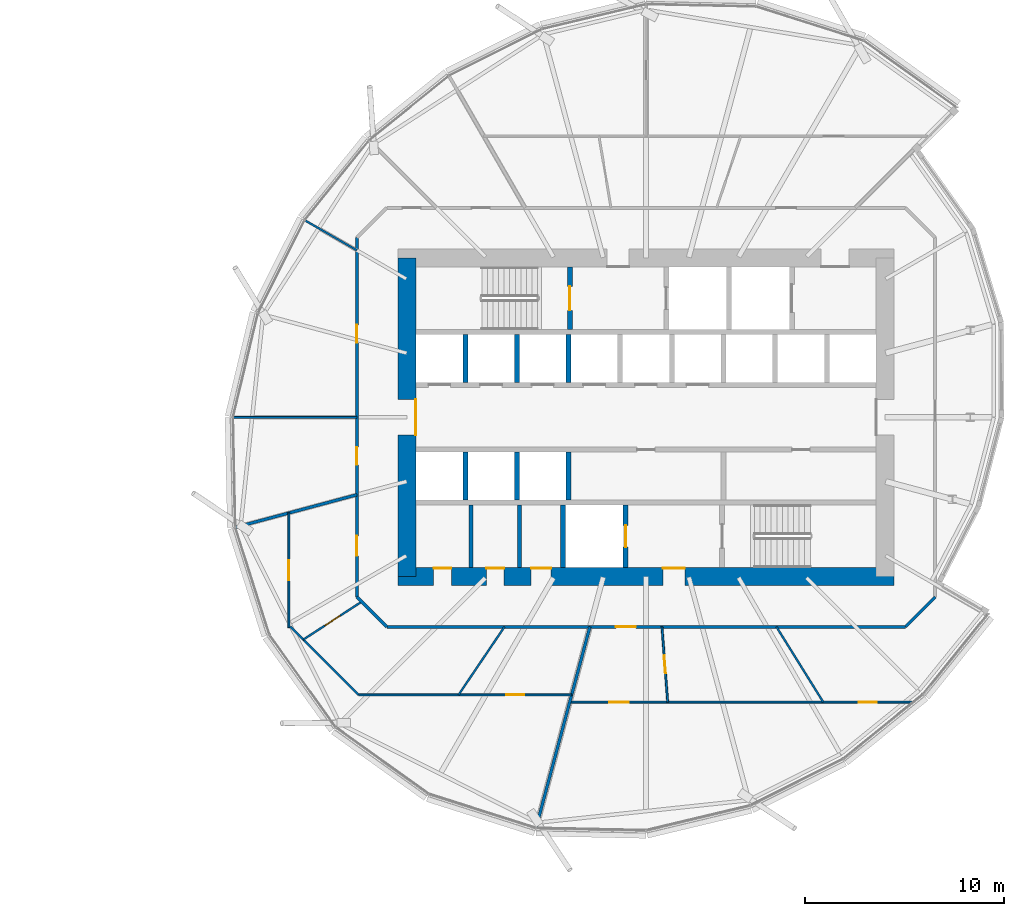
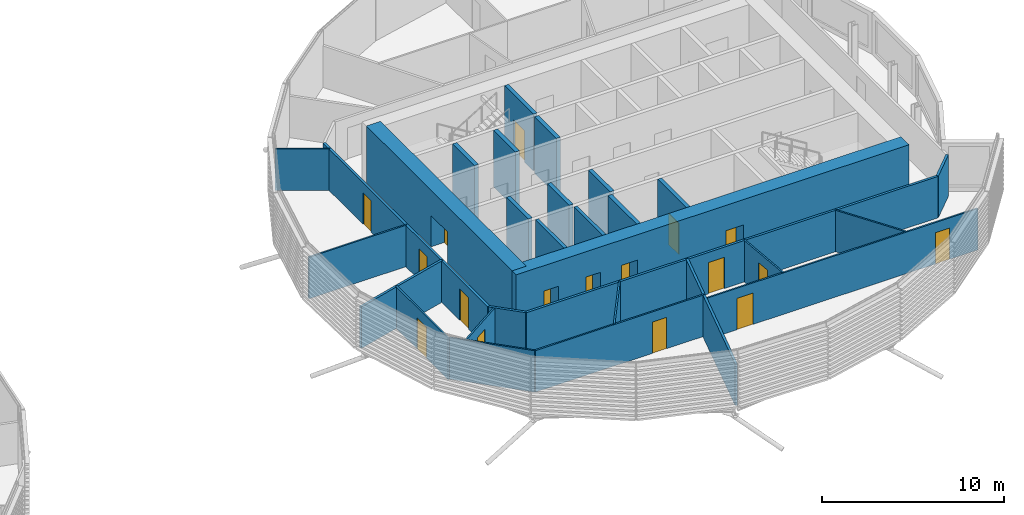
# One storey, part 22 of 36: 29 walls, 17 doors, 17 openings.
"""IFC4 building model written with IfcOpenShell, lengths in metres."""

from ifc_helpers import new_model, si_unit, direction, frame, frame_2d, origin, place, context, subcontext, project, spatial, rectangle, extrude, material, layer, layer_set, type_object, element, fill, save


model = new_model("IFC4")

# Units and contexts
model_context = context("Model", 3, precision=1e-05, world=origin(), true_north=direction((0.0, 1.0)))
body_context = subcontext(model_context, "Body", "Model", "MODEL_VIEW")
ifc_project = project(units=[si_unit("LENGTHUNIT", "METRE"), si_unit("AREAUNIT", "SQUARE_METRE"), si_unit("VOLUMEUNIT", "CUBIC_METRE"), si_unit("PLANEANGLEUNIT", "RADIAN"), si_unit("MASSUNIT", "GRAM", prefix="KILO")], contexts=[model_context])

# Site, building, storey
site_placement = place(None, origin())
site = spatial("IfcSite", under=ifc_project, at=site_placement, CompositionType="ELEMENT")
building_placement = place(site_placement, origin())
building = spatial("IfcBuilding", under=site, at=building_placement, Name="Rimbun Link Towers", CompositionType="ELEMENT")
storey_placement = place(building_placement, frame((0.0, 0.0, 37.60009765625)))
storey = spatial("IfcBuildingStorey", under=building, at=storey_placement, Name="L08", CompositionType="ELEMENT", Elevation=37.60009765625)

# Walls
ifc_material_1 = material(Name="Masonry blockwork", Category="masonry")
ifc_layer_1 = layer(ifc_material_1, 0.199951171875)
ifc_layer_set_1 = layer_set([ifc_layer_1], Name="Core partition 200")
wall_type_1 = type_object("IfcWallType", Name="Core partition 200", PredefinedType="PARTITIONING", material=ifc_layer_set_1)
for number, where, z_axis, x_axis, name in (
    (1, (22.949951171875, -4.39990234375, 0.0), (0.0, 0.0, 1.0), (0.0, -1.0, 0.0), "L08 T2 core wall C1"),
    (2, (25.39990234375, -4.39990234375, 0.0), (0.0, 0.0, 1.0), (0.0, -1.0, 0.0), "L08 T2 core wall C2"),
):
    element("IfcWall", number, at=place(storey_placement, frame(where, z_axis=z_axis, x_axis=x_axis)), inside=storey, type_object=wall_type_1, Name=name, PredefinedType="PARTITIONING", context=body_context, shape_type="SweptSolid", body=[
        extrude(rectangle(XDim=3.150146484375, YDim=0.199951171875, at=frame_2d((1.5751953125, 0.0))), origin(), (0.0, 0.0, 1.0), 3.7998046875),
    ])

# Wall, openings, doors
ifc_material_2 = material(Name="Concrete C60/75", Category="concrete")
ifc_layer_2 = layer(ifc_material_2, 0.89990234375)
ifc_layer_set_2 = layer_set([ifc_layer_2], Name="Core shear wall 900")
wall_type_2 = type_object("IfcWallType", Name="Core shear wall 900", PredefinedType="SHEAR", material=ifc_layer_set_2)
wall_1_placement = place(storey_placement, frame((19.300048828125, -8.0, 0.0), z_axis=(0.0, 0.0, 1.0), x_axis=(1.0, 0.0, 0.0)))
wall_1 = element("IfcWall", 3, at=wall_1_placement, inside=storey, type_object=wall_type_2, Name="L08 T2 core wall S", PredefinedType="SHEAR", context=body_context, shape_type="SweptSolid", body=[
    extrude(rectangle(XDim=24.89990234375, YDim=0.89990234375, at=frame_2d((12.449951171875, 0.0))), origin(), (0.0, 0.0, 1.0), 3.7998046875),
])
opening_1_placement = place(wall_1_placement, frame((13.300048828125, 0.0, 0.0)))
opening_1 = element("IfcOpeningElement", 4, at=opening_1_placement, cuts=wall_1, Name="Opening C2DCF01S", PredefinedType="OPENING", context=body_context, shape_type="SweptSolid", body=[
    extrude(rectangle(XDim=1.10009765625, YDim=2.10009765625, at=frame_2d((0.550048828125, 1.050048828125))), frame((0.0, 0.4599609375, 0.0), z_axis=(0.0, -1.0, 0.0), x_axis=(1.0, 0.0, 0.0)), (0.0, 0.0, 1.0), 0.919921875),
])
opening_2_placement = place(wall_1_placement, frame((1.77490234375, 0.0, 0.0)))
opening_2 = element("IfcOpeningElement", 5, at=opening_2_placement, cuts=wall_1, Name="Opening C2DWC02S", PredefinedType="OPENING", context=body_context, shape_type="SweptSolid", body=[
    extrude(rectangle(XDim=0.89990234375, YDim=2.10009765625, at=frame_2d((0.449951171875, 1.050048828125))), frame((0.0, 0.4599609375, 0.0), z_axis=(0.0, -1.0, 0.0), x_axis=(1.0, 0.0, 0.0)), (0.0, 0.0, 1.0), 0.919921875),
])
opening_3_placement = place(wall_1_placement, frame((4.425048828125, 0.0, 0.0)))
opening_3 = element("IfcOpeningElement", 6, at=opening_3_placement, cuts=wall_1, Name="Opening C2DWC03S", PredefinedType="OPENING", context=body_context, shape_type="SweptSolid", body=[
    extrude(rectangle(XDim=0.89990234375, YDim=2.10009765625, at=frame_2d((0.449951171875, 1.050048828125))), frame((0.0, 0.4599609375, 0.0), z_axis=(0.0, -1.0, 0.0), x_axis=(1.0, 0.0, 0.0)), (0.0, 0.0, 1.0), 0.919921875),
])
opening_4_placement = place(wall_1_placement, frame((6.675048828125, 0.0, 0.0)))
opening_4 = element("IfcOpeningElement", 7, at=opening_4_placement, cuts=wall_1, Name="Opening C2DAW04S", PredefinedType="OPENING", context=body_context, shape_type="SweptSolid", body=[
    extrude(rectangle(XDim=1.0, YDim=2.10009765625, at=frame_2d((0.5, 1.050048828125))), frame((0.0, 0.4599609375, 0.0), z_axis=(0.0, -1.0, 0.0), x_axis=(1.0, 0.0, 0.0)), (0.0, 0.0, 1.0), 0.919921875),
])
ifc_material_3 = material(Name="Timber", Category="wood")
door_type_1 = type_object("IfcDoorType", Name="Accessible WC door", OperationType="SINGLE_SWING_LEFT", PredefinedType="DOOR", material=ifc_material_3)
door_1_placement = place(opening_4_placement, origin())
door_1 = element("IfcDoor", 8, at=door_1_placement, inside=storey, type_object=door_type_1, Name="L08 T2 accessible wc door", OperationType="SINGLE_SWING_RIGHT", OverallHeight=2.10009765625, OverallWidth=1.0, PredefinedType="DOOR", context=body_context, shape_type="SweptSolid", body=[
    extrude(rectangle(XDim=1.0, YDim=2.10009765625, at=frame_2d((0.5, 1.050048828125))), frame((0.0, 0.4501953125, 0.0), z_axis=(0.0, -1.0, 0.0), x_axis=(1.0, 0.0, 0.0)), (0.0, 0.0, 1.0), 0.050048828125),
])
fill(opening_4, door_1)
ifc_material_4 = material(Name="Steel fire door set", Category="steel")
door_type_2 = type_object("IfcDoorType", Name="Core fire door single", OperationType="SINGLE_SWING_LEFT", PredefinedType="DOOR", material=ifc_material_4)
door_2_placement = place(opening_1_placement, origin())
door_2 = element("IfcDoor", 9, at=door_2_placement, inside=storey, type_object=door_type_2, Name="L08 T2 firefighting lobby s door", OperationType="SINGLE_SWING_LEFT", OverallHeight=2.10009765625, OverallWidth=1.10009765625, PredefinedType="DOOR", context=body_context, shape_type="SweptSolid", body=[
    extrude(rectangle(XDim=1.10009765625, YDim=2.10009765625, at=frame_2d((0.550048828125, 1.050048828125))), frame((0.0, 0.4501953125, 0.0), z_axis=(0.0, -1.0, 0.0), x_axis=(1.0, 0.0, 0.0)), (0.0, 0.0, 1.0), 0.050048828125),
])
fill(opening_1, door_2)
ifc_material_5 = material(Name="Timber", Category="wood")
door_type_3 = type_object("IfcDoorType", Name="WC door", OperationType="SINGLE_SWING_LEFT", PredefinedType="DOOR", material=ifc_material_5)
door_3_placement = place(opening_2_placement, origin())
door_3 = element("IfcDoor", 10, at=door_3_placement, inside=storey, type_object=door_type_3, Name="L08 T2 male wc door", OperationType="SINGLE_SWING_RIGHT", OverallHeight=2.10009765625, OverallWidth=0.89990234375, PredefinedType="DOOR", context=body_context, shape_type="SweptSolid", body=[
    extrude(rectangle(XDim=0.89990234375, YDim=2.10009765625, at=frame_2d((0.449951171875, 1.050048828125))), frame((0.0, 0.4501953125, 0.0), z_axis=(0.0, -1.0, 0.0), x_axis=(1.0, 0.0, 0.0)), (0.0, 0.0, 1.0), 0.050048828125),
])
fill(opening_2, door_3)
door_4_placement = place(opening_3_placement, origin())
door_4 = element("IfcDoor", 11, at=door_4_placement, inside=storey, type_object=door_type_3, Name="L08 T2 female wc door", OperationType="SINGLE_SWING_RIGHT", OverallHeight=2.10009765625, OverallWidth=0.89990234375, PredefinedType="DOOR", context=body_context, shape_type="SweptSolid", body=[
    extrude(rectangle(XDim=0.89990234375, YDim=2.10009765625, at=frame_2d((0.449951171875, 1.050048828125))), frame((0.0, 0.4501953125, 0.0), z_axis=(0.0, -1.0, 0.0), x_axis=(1.0, 0.0, 0.0)), (0.0, 0.0, 1.0), 0.050048828125),
])
fill(opening_3, door_4)

# Wall, opening, door
wall_2_placement = place(storey_placement, frame((19.75, -8.0, 0.0), z_axis=(0.0, 0.0, 1.0), x_axis=(0.0, 1.0, 0.0)))
wall_2 = element("IfcWall", 12, at=wall_2_placement, inside=storey, type_object=wall_type_2, Name="L08 T2 core wall W", PredefinedType="SHEAR", context=body_context, shape_type="SweptSolid", body=[
    extrude(rectangle(XDim=16.0, YDim=0.89990234375, at=frame_2d((8.0, 0.0))), origin(), (0.0, 0.0, 1.0), 3.7998046875),
])
opening_5_placement = place(wall_2_placement, frame((7.10009765625, 0.0, 0.0)))
opening_5 = element("IfcOpeningElement", 13, at=opening_5_placement, cuts=wall_2, Name="Opening C2DCL01W", PredefinedType="OPENING", context=body_context, shape_type="SweptSolid", body=[
    extrude(rectangle(XDim=1.800048828125, YDim=2.10009765625, at=frame_2d((0.89990234375, 1.050048828125))), frame((0.0, 0.4599609375, 0.0), z_axis=(0.0, -1.0, 0.0), x_axis=(1.0, 0.0, 0.0)), (0.0, 0.0, 1.0), 0.919921875),
])
ifc_material_6 = material(Name="Steel fire door set", Category="steel")
door_type_4 = type_object("IfcDoorType", Name="Core lobby door double", OperationType="DOUBLE_DOOR_SINGLE_SWING", PredefinedType="DOOR", material=ifc_material_6)
door_5_placement = place(opening_5_placement, origin())
door_5 = element("IfcDoor", 14, at=door_5_placement, inside=storey, type_object=door_type_4, Name="L08 T2 lift lobby door", OperationType="DOUBLE_DOOR_SINGLE_SWING", OverallHeight=2.10009765625, OverallWidth=1.800048828125, PredefinedType="DOOR", context=body_context, shape_type="SweptSolid", body=[
    extrude(rectangle(XDim=1.800048828125, YDim=2.10009765625, at=frame_2d((0.89990234375, 1.050048828125))), frame((0.0, -0.39990234375, 0.0), z_axis=(0.0, -1.0, 0.0), x_axis=(1.0, 0.0, 0.0)), (0.0, 0.0, 1.0), 0.050048828125),
])
fill(opening_5, door_5)

# Wall
ifc_material_7 = material(Name="Plasterboard on steel stud, mineral wool", Category="steel")
ifc_layer_3 = layer(ifc_material_7, 0.14990234375)
ifc_layer_set_3 = layer_set([ifc_layer_3], Name="Corridor wall EI 30 150 mm")
wall_type_3 = type_object("IfcWallType", Name="Corridor wall EI 30 150 mm", PredefinedType="PARTITIONING", material=ifc_layer_set_3)
wall_3_placement = place(storey_placement, frame((44.776611328125, -10.52490234375, 0.0), z_axis=(0.0, 0.0, 1.0), x_axis=(0.707106781187, 0.707106781187, 0.0)))
element("IfcWall", 15, at=wall_3_placement, inside=storey, type_object=wall_type_3, Name="Corridor wall EI 30 150 mm", PredefinedType="PARTITIONING", context=body_context, shape_type="SweptSolid", body=[
    extrude(rectangle(XDim=2.118896484375, YDim=0.14990234375, at=frame_2d((1.0595703125, 0.0))), origin(), (0.0, 0.0, 1.0), 2.77880859375),
])

# Wall, opening, door
wall_4_placement = place(storey_placement, frame((44.776611328125, -10.52490234375, 0.0), z_axis=(0.0, 0.0, 1.0), x_axis=(-1.0, 0.0, 0.0)))
wall_4 = element("IfcWall", 16, at=wall_4_placement, inside=storey, type_object=wall_type_3, Name="Corridor wall EI 30 150 mm", PredefinedType="PARTITIONING", context=body_context, shape_type="SweptSolid", body=[
    extrude(rectangle(XDim=26.05322265625, YDim=0.14990234375, at=frame_2d((13.026611328125, 0.0))), origin(), (0.0, 0.0, 1.0), 2.77880859375),
])
opening_6_placement = place(wall_4_placement, frame((13.53662109375, 0.0, 0.0)))
opening_6 = element("IfcOpeningElement", 17, at=opening_6_placement, cuts=wall_4, Name="Opening D01", PredefinedType="OPENING", context=body_context, shape_type="SweptSolid", body=[
    extrude(rectangle(XDim=1.0, YDim=2.10009765625, at=frame_2d((0.5, 1.050048828125))), frame((0.0, 0.0849609375, 0.0), z_axis=(0.0, -1.0, 0.0), x_axis=(1.0, 0.0, 0.0)), (0.0, 0.0, 1.0), 0.169921875),
])
ifc_material_8 = material(Name="Fire-resisting timber door leaf", Category="wood")
door_type_5 = type_object("IfcDoorType", Name="Fire door FD30S 1000", OperationType="NOTDEFINED", PredefinedType="DOOR", material=ifc_material_8)
door_6_placement = place(opening_6_placement, origin())
door_6 = element("IfcDoor", 18, at=door_6_placement, inside=storey, type_object=door_type_5, Name="Fire door FD30S 1000 to Customer lobby", OperationType="SINGLE_SWING_LEFT", OverallHeight=2.10009765625, OverallWidth=1.0, PredefinedType="DOOR", context=body_context, shape_type="SweptSolid", body=[
    extrude(rectangle(XDim=1.0, YDim=2.10009765625, at=frame_2d((0.5, 1.050048828125))), frame((0.0, 0.02490234375, 0.0), z_axis=(0.0, -1.0, 0.0), x_axis=(1.0, 0.0, 0.0)), (0.0, 0.0, 1.0), 0.050048828125),
])
fill(opening_6, door_6)

# Wall
wall_5_placement = place(storey_placement, frame((17.22509765625, -9.026611328125, 0.0), z_axis=(0.0, 0.0, 1.0), x_axis=(0.707106781187, -0.707106781187, 0.0)))
element("IfcWall", 19, at=wall_5_placement, inside=storey, type_object=wall_type_3, Name="Corridor wall EI 30 150 mm", PredefinedType="PARTITIONING", context=body_context, shape_type="SweptSolid", body=[
    extrude(rectangle(XDim=2.118896484375, YDim=0.14990234375, at=frame_2d((1.0595703125, 0.0))), origin(), (0.0, 0.0, 1.0), 2.77880859375),
])

# Wall, openings, doors
wall_6_placement = place(storey_placement, frame((17.22509765625, -9.026611328125, 0.0), z_axis=(0.0, 0.0, 1.0), x_axis=(0.0, 1.0, 0.0)))
wall_6 = element("IfcWall", 20, at=wall_6_placement, inside=storey, type_object=wall_type_3, Name="Corridor wall EI 30 150 mm", PredefinedType="PARTITIONING", context=body_context, shape_type="SweptSolid", body=[
    extrude(rectangle(XDim=18.05322265625, YDim=0.14990234375, at=frame_2d((9.026611328125, 0.0))), origin(), (0.0, 0.0, 1.0), 2.77880859375),
])
opening_7_placement = place(wall_6_placement, frame((12.769775390625, 0.0, 0.0)))
opening_7 = element("IfcOpeningElement", 21, at=opening_7_placement, cuts=wall_6, Name="Opening D02", PredefinedType="OPENING", context=body_context, shape_type="SweptSolid", body=[
    extrude(rectangle(XDim=0.89990234375, YDim=2.10009765625, at=frame_2d((0.449951171875, 1.050048828125))), frame((0.0, 0.0849609375, 0.0), z_axis=(0.0, -1.0, 0.0), x_axis=(1.0, 0.0, 0.0)), (0.0, 0.0, 1.0), 0.169921875),
])
opening_8_placement = place(wall_6_placement, frame((6.630615234375, 0.0, 0.0)))
opening_8 = element("IfcOpeningElement", 22, at=opening_8_placement, cuts=wall_6, Name="Opening D02", PredefinedType="OPENING", context=body_context, shape_type="SweptSolid", body=[
    extrude(rectangle(XDim=0.89990234375, YDim=2.10009765625, at=frame_2d((0.449951171875, 1.050048828125))), frame((0.0, 0.0849609375, 0.0), z_axis=(0.0, -1.0, 0.0), x_axis=(1.0, 0.0, 0.0)), (0.0, 0.0, 1.0), 0.169921875),
])
opening_9_placement = place(wall_6_placement, frame((2.0673828125, 0.0, 0.0)))
opening_9 = element("IfcOpeningElement", 23, at=opening_9_placement, cuts=wall_6, Name="Opening D01", PredefinedType="OPENING", context=body_context, shape_type="SweptSolid", body=[
    extrude(rectangle(XDim=1.0, YDim=2.10009765625, at=frame_2d((0.5, 1.050048828125))), frame((0.0, 0.0849609375, 0.0), z_axis=(0.0, -1.0, 0.0), x_axis=(1.0, 0.0, 0.0)), (0.0, 0.0, 1.0), 0.169921875),
])
door_7_placement = place(opening_9_placement, origin())
door_7 = element("IfcDoor", 24, at=door_7_placement, inside=storey, type_object=door_type_5, Name="Fire door FD30S 1000 to Reception", OperationType="SINGLE_SWING_RIGHT", OverallHeight=2.10009765625, OverallWidth=1.0, PredefinedType="DOOR", context=body_context, shape_type="SweptSolid", body=[
    extrude(rectangle(XDim=1.0, YDim=2.10009765625, at=frame_2d((0.5, 1.050048828125))), frame((0.0, 0.02490234375, 0.0), z_axis=(0.0, -1.0, 0.0), x_axis=(1.0, 0.0, 0.0)), (0.0, 0.0, 1.0), 0.050048828125),
])
fill(opening_9, door_7)
ifc_material_9 = material(Name="Fire-resisting timber door leaf", Category="wood")
door_type_6 = type_object("IfcDoorType", Name="Fire door FD30S 900", OperationType="NOTDEFINED", PredefinedType="DOOR", material=ifc_material_9)
door_8_placement = place(opening_7_placement, origin())
door_8 = element("IfcDoor", 25, at=door_8_placement, inside=storey, type_object=door_type_6, Name="Fire door FD30S 900 to Cellular office", OperationType="SINGLE_SWING_RIGHT", OverallHeight=2.10009765625, OverallWidth=0.89990234375, PredefinedType="DOOR", context=body_context, shape_type="SweptSolid", body=[
    extrude(rectangle(XDim=0.89990234375, YDim=2.10009765625, at=frame_2d((0.449951171875, 1.050048828125))), frame((0.0, 0.02490234375, 0.0), z_axis=(0.0, -1.0, 0.0), x_axis=(1.0, 0.0, 0.0)), (0.0, 0.0, 1.0), 0.050048828125),
])
fill(opening_7, door_8)
door_9_placement = place(opening_8_placement, origin())
door_9 = element("IfcDoor", 26, at=door_9_placement, inside=storey, type_object=door_type_6, Name="Fire door FD30S 900 to Meeting room", OperationType="SINGLE_SWING_LEFT", OverallHeight=2.10009765625, OverallWidth=0.89990234375, PredefinedType="DOOR", context=body_context, shape_type="SweptSolid", body=[
    extrude(rectangle(XDim=0.89990234375, YDim=2.10009765625, at=frame_2d((0.449951171875, 1.050048828125))), frame((0.0, 0.02490234375, 0.0), z_axis=(0.0, -1.0, 0.0), x_axis=(1.0, 0.0, 0.0)), (0.0, 0.0, 1.0), 0.050048828125),
])
fill(opening_8, door_9)

# Walls
ifc_material_10 = material(Name="Plasterboard on steel stud", Category="steel")
ifc_layer_4 = layer(ifc_material_10, 0.10009765625)
ifc_layer_set_4 = layer_set([ifc_layer_4], Name="Plasterboard partition 100 mm")
wall_type_4 = type_object("IfcWallType", Name="Plasterboard partition 100 mm", PredefinedType="PARTITIONING", material=ifc_layer_set_4)
wall_7_placement = place(storey_placement, frame((14.6123046875, 9.89453125, 0.0), z_axis=(0.0, 0.0, 1.0), x_axis=(0.866018486155, -0.500011981494, 0.0)))
element("IfcWall", 27, at=wall_7_placement, inside=storey, type_object=wall_type_4, Name="Plasterboard partition 100 mm", PredefinedType="PARTITIONING", context=body_context, shape_type="SweptSolid", body=[
    extrude(rectangle(XDim=3.01708984375, YDim=0.10009765625, at=frame_2d((1.508544921875, 0.0))), origin(), (0.0, 0.0, 1.0), 2.77880859375),
])
wall_8_placement = place(storey_placement, frame((11.0166015625, 0.0, 0.0), z_axis=(0.0, 0.0, 1.0), x_axis=(1.0, 0.0, 0.0)))
element("IfcWall", 28, at=wall_8_placement, inside=storey, type_object=wall_type_4, Name="Plasterboard partition 100 mm", PredefinedType="PARTITIONING", context=body_context, shape_type="SweptSolid", body=[
    extrude(rectangle(XDim=6.20849609375, YDim=0.10009765625, at=frame_2d((3.104248046875, 0.0))), origin(), (0.0, 0.0, 1.0), 2.77880859375),
])

# Wall, opening, door
wall_9_placement = place(storey_placement, frame((17.464111328125, -9.265869140625, 0.0), z_axis=(0.0, 0.0, 1.0), x_axis=(-0.83896645624, -0.544183135814, 0.0)))
wall_9 = element("IfcWall", 29, at=wall_9_placement, inside=storey, type_object=wall_type_4, Name="Plasterboard partition 100 mm", PredefinedType="PARTITIONING", context=body_context, shape_type="SweptSolid", body=[
    extrude(rectangle(XDim=3.49658203125, YDim=0.10009765625, at=frame_2d((1.748291015625, 0.0))), origin(), (0.0, 0.0, 1.0), 2.77880859375),
])
opening_10_placement = place(wall_9_placement, frame((1.29833984375, 0.0, 0.0)))
opening_10 = element("IfcOpeningElement", 30, at=opening_10_placement, cuts=wall_9, Name="Opening D04", PredefinedType="OPENING", context=body_context, shape_type="SweptSolid", body=[
    extrude(rectangle(XDim=0.89990234375, YDim=2.10009765625, at=frame_2d((0.449951171875, 1.050048828125))), frame((0.0, 0.06005859375, 0.0), z_axis=(0.0, -1.0, 0.0), x_axis=(1.0, 0.0, 0.0)), (0.0, 0.0, 1.0), 0.1201171875),
])
ifc_material_11 = material(Name="Timber door leaf", Category="wood")
door_type_7 = type_object("IfcDoorType", Name="Flush door 900", OperationType="NOTDEFINED", PredefinedType="DOOR", material=ifc_material_11)
door_10_placement = place(opening_10_placement, origin())
door_10 = element("IfcDoor", 31, at=door_10_placement, inside=storey, type_object=door_type_7, Name="Flush door 900 to Meeting room", OperationType="SINGLE_SWING_RIGHT", OverallHeight=2.10009765625, OverallWidth=0.89990234375, PredefinedType="DOOR", context=body_context, shape_type="SweptSolid", body=[
    extrude(rectangle(XDim=0.89990234375, YDim=2.10009765625, at=frame_2d((0.449951171875, 1.050048828125))), frame((0.0, 0.02490234375, 0.0), z_axis=(0.0, -1.0, 0.0), x_axis=(1.0, 0.0, 0.0)), (0.0, 0.0, 1.0), 0.050048828125),
])
fill(opening_10, door_10)

wall_10_placement = place(storey_placement, frame((13.804931640625, -10.5615234375, 0.0), z_axis=(0.0, 0.0, 1.0), x_axis=(0.0, 1.0, 0.0)))
wall_10 = element("IfcWall", 32, at=wall_10_placement, inside=storey, type_object=wall_type_4, Name="Plasterboard partition 100 mm", PredefinedType="PARTITIONING", context=body_context, shape_type="SweptSolid", body=[
    extrude(rectangle(XDim=5.753173828125, YDim=0.10009765625, at=frame_2d((2.87646484375, 0.0))), origin(), (0.0, 0.0, 1.0), 2.77880859375),
])
opening_11_placement = place(wall_10_placement, frame((2.376708984375, 0.0, 0.0)))
opening_11 = element("IfcOpeningElement", 33, at=opening_11_placement, cuts=wall_10, Name="Opening D03", PredefinedType="OPENING", context=body_context, shape_type="SweptSolid", body=[
    extrude(rectangle(XDim=1.0, YDim=2.10009765625, at=frame_2d((0.5, 1.050048828125))), frame((0.0, 0.06005859375, 0.0), z_axis=(0.0, -1.0, 0.0), x_axis=(1.0, 0.0, 0.0)), (0.0, 0.0, 1.0), 0.1201171875),
])
ifc_material_12 = material(Name="Timber door leaf", Category="wood")
door_type_8 = type_object("IfcDoorType", Name="Flush door 1000", OperationType="NOTDEFINED", PredefinedType="DOOR", material=ifc_material_12)
door_11_placement = place(opening_11_placement, origin())
door_11 = element("IfcDoor", 34, at=door_11_placement, inside=storey, type_object=door_type_8, Name="Flush door 1000 to Open office", OperationType="SINGLE_SWING_LEFT", OverallHeight=2.10009765625, OverallWidth=1.0, PredefinedType="DOOR", context=body_context, shape_type="SweptSolid", body=[
    extrude(rectangle(XDim=1.0, YDim=2.10009765625, at=frame_2d((0.5, 1.050048828125))), frame((0.0, 0.02490234375, 0.0), z_axis=(0.0, -1.0, 0.0), x_axis=(1.0, 0.0, 0.0)), (0.0, 0.0, 1.0), 0.050048828125),
])
fill(opening_11, door_11)

# Walls
wall_11_placement = place(storey_placement, frame((13.868896484375, -10.50732421875, 0.0), z_axis=(0.0, 0.0, 1.0), x_axis=(0.707182105477, -0.707031448872, 0.0)))
element("IfcWall", 35, at=wall_11_placement, inside=storey, type_object=wall_type_4, Name="Plasterboard partition 100 mm", PredefinedType="PARTITIONING", context=body_context, shape_type="SweptSolid", body=[
    extrude(rectangle(XDim=4.861572265625, YDim=0.10009765625, at=frame_2d((2.4306640625, 0.0))), origin(), (0.0, 0.0, 1.0), 2.77880859375),
])
wall_12_placement = place(storey_placement, frame((22.329345703125, -13.945068359375, 0.0), z_axis=(0.0, 0.0, 1.0), x_axis=(0.559794848407, 0.828631237461, 0.0)))
element("IfcWall", 36, at=wall_12_placement, inside=storey, type_object=wall_type_4, Name="Plasterboard partition 100 mm", PredefinedType="PARTITIONING", context=body_context, shape_type="SweptSolid", body=[
    extrude(rectangle(XDim=4.12744140625, YDim=0.10009765625, at=frame_2d((2.063720703125, 0.0))), origin(), (0.0, 0.0, 1.0), 2.77880859375),
])

# Wall, opening, door
wall_13_placement = place(storey_placement, frame((17.306640625, -13.945068359375, 0.0), z_axis=(0.0, 0.0, 1.0), x_axis=(1.0, 0.0, 0.0)))
wall_13 = element("IfcWall", 37, at=wall_13_placement, inside=storey, type_object=wall_type_4, Name="Plasterboard partition 100 mm", PredefinedType="PARTITIONING", context=body_context, shape_type="SweptSolid", body=[
    extrude(rectangle(XDim=10.706787109375, YDim=0.10009765625, at=frame_2d((5.353515625, 0.0))), origin(), (0.0, 0.0, 1.0), 2.77880859375),
])
opening_12_placement = place(wall_13_placement, frame((7.414794921875, 0.0, 0.0)))
opening_12 = element("IfcOpeningElement", 38, at=opening_12_placement, cuts=wall_13, Name="Opening D04", PredefinedType="OPENING", context=body_context, shape_type="SweptSolid", body=[
    extrude(rectangle(XDim=0.89990234375, YDim=2.10009765625, at=frame_2d((0.449951171875, 1.050048828125))), frame((0.0, 0.06005859375, 0.0), z_axis=(0.0, -1.0, 0.0), x_axis=(1.0, 0.0, 0.0)), (0.0, 0.0, 1.0), 0.1201171875),
])
door_12_placement = place(opening_12_placement, origin())
door_12 = element("IfcDoor", 39, at=door_12_placement, inside=storey, type_object=door_type_7, Name="Flush door 900 to Print room", OperationType="SINGLE_SWING_RIGHT", OverallHeight=2.10009765625, OverallWidth=0.89990234375, PredefinedType="DOOR", context=body_context, shape_type="SweptSolid", body=[
    extrude(rectangle(XDim=0.89990234375, YDim=2.10009765625, at=frame_2d((0.449951171875, 1.050048828125))), frame((0.0, 0.02490234375, 0.0), z_axis=(0.0, -1.0, 0.0), x_axis=(1.0, 0.0, 0.0)), (0.0, 0.0, 1.0), 0.050048828125),
])
fill(opening_12, door_12)

wall_14_placement = place(storey_placement, frame((32.55029296875, -10.52490234375, 0.0), z_axis=(0.0, 0.0, 1.0), x_axis=(0.075800155397, -0.997123029742, 0.0)))
wall_14 = element("IfcWall", 40, at=wall_14_placement, inside=storey, type_object=wall_type_4, Name="Plasterboard partition 100 mm", PredefinedType="PARTITIONING", context=body_context, shape_type="SweptSolid", body=[
    extrude(rectangle(XDim=3.791015625, YDim=0.10009765625, at=frame_2d((1.8955078125, 0.0))), origin(), (0.0, 0.0, 1.0), 2.77880859375),
])
opening_13_placement = place(wall_14_placement, frame((1.445556640625, 0.0, 0.0)))
opening_13 = element("IfcOpeningElement", 41, at=opening_13_placement, cuts=wall_14, Name="Opening D04", PredefinedType="OPENING", context=body_context, shape_type="SweptSolid", body=[
    extrude(rectangle(XDim=0.89990234375, YDim=2.10009765625, at=frame_2d((0.449951171875, 1.050048828125))), frame((0.0, 0.06005859375, 0.0), z_axis=(0.0, -1.0, 0.0), x_axis=(1.0, 0.0, 0.0)), (0.0, 0.0, 1.0), 0.1201171875),
])
door_13_placement = place(opening_13_placement, origin())
door_13 = element("IfcDoor", 42, at=door_13_placement, inside=storey, type_object=door_type_7, Name="Flush door 900 to Interview room", OperationType="SINGLE_SWING_RIGHT", OverallHeight=2.10009765625, OverallWidth=0.89990234375, PredefinedType="DOOR", context=body_context, shape_type="SweptSolid", body=[
    extrude(rectangle(XDim=0.89990234375, YDim=2.10009765625, at=frame_2d((0.449951171875, 1.050048828125))), frame((0.0, 0.02490234375, 0.0), z_axis=(0.0, -1.0, 0.0), x_axis=(1.0, 0.0, 0.0)), (0.0, 0.0, 1.0), 0.050048828125),
])
fill(opening_13, door_13)

# Wall, openings, doors
wall_15_placement = place(storey_placement, frame((45.144287109375, -14.304931640625, 0.0), z_axis=(0.0, 0.0, 1.0), x_axis=(-1.0, 0.0, 0.0)))
wall_15 = element("IfcWall", 43, at=wall_15_placement, inside=storey, type_object=wall_type_4, Name="Plasterboard partition 100 mm", PredefinedType="PARTITIONING", context=body_context, shape_type="SweptSolid", body=[
    extrude(rectangle(XDim=17.227294921875, YDim=0.10009765625, at=frame_2d((8.61376953125, 0.0))), origin(), (0.0, 0.0, 1.0), 2.77880859375),
])
opening_14_placement = place(wall_15_placement, frame((14.251953125, 0.0, 0.0)))
opening_14 = element("IfcOpeningElement", 44, at=opening_14_placement, cuts=wall_15, Name="Opening D03", PredefinedType="OPENING", context=body_context, shape_type="SweptSolid", body=[
    extrude(rectangle(XDim=1.0, YDim=2.10009765625, at=frame_2d((0.5, 1.050048828125))), frame((0.0, 0.06005859375, 0.0), z_axis=(0.0, -1.0, 0.0), x_axis=(1.0, 0.0, 0.0)), (0.0, 0.0, 1.0), 0.1201171875),
])
opening_15_placement = place(wall_15_placement, frame((1.796875, 0.0, 0.0)))
opening_15 = element("IfcOpeningElement", 45, at=opening_15_placement, cuts=wall_15, Name="Opening D04", PredefinedType="OPENING", context=body_context, shape_type="SweptSolid", body=[
    extrude(rectangle(XDim=0.89990234375, YDim=2.10009765625, at=frame_2d((0.449951171875, 1.050048828125))), frame((0.0, 0.06005859375, 0.0), z_axis=(0.0, -1.0, 0.0), x_axis=(1.0, 0.0, 0.0)), (0.0, 0.0, 1.0), 0.1201171875),
])
door_14_placement = place(opening_14_placement, origin())
door_14 = element("IfcDoor", 46, at=door_14_placement, inside=storey, type_object=door_type_8, Name="Flush door 1000 to Banking hall", OperationType="SINGLE_SWING_LEFT", OverallHeight=2.10009765625, OverallWidth=1.0, PredefinedType="DOOR", context=body_context, shape_type="SweptSolid", body=[
    extrude(rectangle(XDim=1.0, YDim=2.10009765625, at=frame_2d((0.5, 1.050048828125))), frame((0.0, 0.02490234375, 0.0), z_axis=(0.0, -1.0, 0.0), x_axis=(1.0, 0.0, 0.0)), (0.0, 0.0, 1.0), 0.050048828125),
])
fill(opening_14, door_14)
door_15_placement = place(opening_15_placement, origin())
door_15 = element("IfcDoor", 47, at=door_15_placement, inside=storey, type_object=door_type_7, Name="Flush door 900 to Strong room", OperationType="SINGLE_SWING_LEFT", OverallHeight=2.10009765625, OverallWidth=0.89990234375, PredefinedType="DOOR", context=body_context, shape_type="SweptSolid", body=[
    extrude(rectangle(XDim=0.89990234375, YDim=2.10009765625, at=frame_2d((0.449951171875, 1.050048828125))), frame((0.0, 0.02490234375, 0.0), z_axis=(0.0, -1.0, 0.0), x_axis=(1.0, 0.0, 0.0)), (0.0, 0.0, 1.0), 0.050048828125),
])
fill(opening_15, door_15)

# Walls
wall_16_placement = place(storey_placement, frame((40.650634765625, -14.304931640625, 0.0), z_axis=(0.0, 0.0, 1.0), x_axis=(-0.528307157768, 0.849053324032, 0.0)))
element("IfcWall", 48, at=wall_16_placement, inside=storey, type_object=wall_type_4, Name="Plasterboard partition 100 mm", PredefinedType="PARTITIONING", context=body_context, shape_type="SweptSolid", body=[
    extrude(rectangle(XDim=4.4521484375, YDim=0.10009765625, at=frame_2d((2.22607421875, 0.0))), origin(), (0.0, 0.0, 1.0), 2.77880859375),
])
ifc_material_13 = material(Name="Concrete C60/75", Category="concrete")
ifc_layer_5 = layer(ifc_material_13, 0.25)
ifc_layer_set_5 = layer_set([ifc_layer_5], Name="Shaft wall 250")
wall_type_5 = type_object("IfcWallType", Name="Shaft wall 250", PredefinedType="SHEAR", material=ifc_layer_set_5)
for number, where, z_axis, x_axis, name in (
    (49, (22.66943359375, 1.75, 0.0), (0.0, 0.0, 1.0), (0.0, 1.0, 0.0), "L08 T2 core wall DN0"),
    (50, (25.263916015625, 1.75, 0.0), (0.0, 0.0, 1.0), (0.0, 1.0, 0.0), "L08 T2 core wall DN1"),
    (51, (27.8583984375, 1.75, 0.0), (0.0, 0.0, 1.0), (0.0, 1.0, 0.0), "L08 T2 core wall DN2"),
    (52, (22.66943359375, -4.14990234375, 0.0), (0.0, 0.0, 1.0), (0.0, 1.0, 0.0), "L08 T2 core wall DS0"),
    (53, (25.263916015625, -4.14990234375, 0.0), (0.0, 0.0, 1.0), (0.0, 1.0, 0.0), "L08 T2 core wall DS1"),
    (54, (27.8583984375, -4.14990234375, 0.0), (0.0, 0.0, 1.0), (0.0, 1.0, 0.0), "L08 T2 core wall DS2"),
):
    element("IfcWall", number, at=place(storey_placement, frame(where, z_axis=z_axis, x_axis=x_axis)), inside=storey, type_object=wall_type_5, Name=name, PredefinedType="SHEAR", context=body_context, shape_type="SweptSolid", body=[
        extrude(rectangle(XDim=2.39990234375, YDim=0.25, at=frame_2d((1.199951171875, 0.0))), origin(), (0.0, 0.0, 1.0), 3.7998046875),
    ])

# Wall, opening, door
wall_17_placement = place(storey_placement, frame((27.925048828125, 4.39990234375, 0.0), z_axis=(0.0, 0.0, 1.0), x_axis=(0.0, 1.0, 0.0)))
wall_17 = element("IfcWall", 55, at=wall_17_placement, inside=storey, type_object=wall_type_5, Name="L08 T2 core wall A1", PredefinedType="SHEAR", context=body_context, shape_type="SweptSolid", body=[
    extrude(rectangle(XDim=3.150146484375, YDim=0.25, at=frame_2d((1.5751953125, 0.0))), origin(), (0.0, 0.0, 1.0), 3.7998046875),
])
opening_16_placement = place(wall_17_placement, frame((0.97509765625, 0.0, 0.0)))
opening_16 = element("IfcOpeningElement", 56, at=opening_16_placement, cuts=wall_17, Name="Opening C2DST01A1", PredefinedType="OPENING", context=body_context, shape_type="SweptSolid", body=[
    extrude(rectangle(XDim=1.199951171875, YDim=2.10009765625, at=frame_2d((0.60009765625, 1.050048828125))), frame((0.0, 0.135009765625, 0.0), z_axis=(0.0, -1.0, 0.0), x_axis=(1.0, 0.0, 0.0)), (0.0, 0.0, 1.0), 0.27001953125),
])
ifc_material_14 = material(Name="Steel fire door set", Category="steel")
door_type_9 = type_object("IfcDoorType", Name="Stair door", OperationType="SINGLE_SWING_LEFT", PredefinedType="DOOR", material=ifc_material_14)
door_16_placement = place(opening_16_placement, origin())
door_16 = element("IfcDoor", 57, at=door_16_placement, inside=storey, type_object=door_type_9, Name="L08 T2 stair a door", OperationType="SINGLE_SWING_RIGHT", OverallHeight=2.10009765625, OverallWidth=1.199951171875, PredefinedType="DOOR", context=body_context, shape_type="SweptSolid", body=[
    extrude(rectangle(XDim=1.199951171875, YDim=2.10009765625, at=frame_2d((0.60009765625, 1.050048828125))), frame((0.0, 0.02490234375, 0.0), z_axis=(0.0, -1.0, 0.0), x_axis=(1.0, 0.0, 0.0)), (0.0, 0.0, 1.0), 0.050048828125),
])
fill(opening_16, door_16)

wall_18_placement = place(storey_placement, frame((30.72509765625, -4.39990234375, 0.0), z_axis=(0.0, 0.0, 1.0), x_axis=(0.0, -1.0, 0.0)))
wall_18 = element("IfcWall", 58, at=wall_18_placement, inside=storey, type_object=wall_type_5, Name="L08 T2 core wall B2", PredefinedType="SHEAR", context=body_context, shape_type="SweptSolid", body=[
    extrude(rectangle(XDim=3.150146484375, YDim=0.25, at=frame_2d((1.5751953125, 0.0))), origin(), (0.0, 0.0, 1.0), 3.7998046875),
])
opening_17_placement = place(wall_18_placement, frame((1.02490234375, 0.0, 0.0)))
opening_17 = element("IfcOpeningElement", 59, at=opening_17_placement, cuts=wall_18, Name="Opening LD-T2-FF2", PredefinedType="OPENING", context=body_context, shape_type="SweptSolid", body=[
    extrude(rectangle(XDim=1.10009765625, YDim=2.10009765625, at=frame_2d((0.550048828125, 1.050048828125))), frame((0.0, 0.135009765625, 0.0), z_axis=(0.0, -1.0, 0.0), x_axis=(1.0, 0.0, 0.0)), (0.0, 0.0, 1.0), 0.27001953125),
])
ifc_material_15 = material(Name="Stainless steel grade 316", Category="steel")
door_type_10 = type_object("IfcDoorType", Name="Lift landing door", OperationType="DOUBLE_DOOR_SLIDING", PredefinedType="DOOR", material=ifc_material_15)
door_17_placement = place(opening_17_placement, origin())
door_17 = element("IfcDoor", 60, at=door_17_placement, inside=storey, type_object=door_type_10, Name="L08 T2 lift FF2 landing door", OperationType="DOUBLE_DOOR_SLIDING", OverallHeight=2.10009765625, OverallWidth=1.10009765625, PredefinedType="DOOR", context=body_context, shape_type="SweptSolid", body=[
    extrude(rectangle(XDim=1.10009765625, YDim=2.10009765625, at=frame_2d((0.550048828125, 1.050048828125))), frame((0.0, 0.02490234375, 0.0), z_axis=(0.0, -1.0, 0.0), x_axis=(1.0, 0.0, 0.0)), (0.0, 0.0, 1.0), 0.050048828125),
])
fill(opening_17, door_17)

# Walls
wall_19_placement = place(storey_placement, frame((27.574951171875, -4.39990234375, 0.0), z_axis=(0.0, 0.0, 1.0), x_axis=(0.0, -1.0, 0.0)))
element("IfcWall", 61, at=wall_19_placement, inside=storey, type_object=wall_type_5, Name="L08 T2 core wall B3", PredefinedType="SHEAR", context=body_context, shape_type="SweptSolid", body=[
    extrude(rectangle(XDim=3.150146484375, YDim=0.25, at=frame_2d((1.5751953125, 0.0))), origin(), (0.0, 0.0, 1.0), 3.7998046875),
])
ifc_material_16 = material(Name="Plasterboard on steel stud, mineral wool", Category="steel")
ifc_layer_6 = layer(ifc_material_16, 0.14990234375)
ifc_layer_set_6 = layer_set([ifc_layer_6], Name="Tenancy separation wall EI 60 150 mm")
wall_type_6 = type_object("IfcWallType", Name="Tenancy separation wall EI 60 150 mm", PredefinedType="PARTITIONING", material=ifc_layer_set_6)
wall_20_placement = place(storey_placement, frame((17.22509765625, -3.891845703125, 0.0), z_axis=(0.0, 0.0, 1.0), x_axis=(-0.965920059985, -0.258840564283, 0.0)))
element("IfcWall", 62, at=wall_20_placement, inside=storey, type_object=wall_type_6, Name="Tenancy separation wall EI 60 150 mm", PredefinedType="PARTITIONING", context=body_context, shape_type="SweptSolid", body=[
    extrude(rectangle(XDim=6.30712890625, YDim=0.14990234375, at=frame_2d((3.153564453125, 0.0))), origin(), (0.0, 0.0, 1.0), 2.77880859375),
])
wall_21_placement = place(storey_placement, frame((28.929931640625, -10.52490234375, 0.0), z_axis=(0.0, 0.0, 1.0), x_axis=(-0.258830300683, -0.965922810295, 0.0)))
element("IfcWall", 63, at=wall_21_placement, inside=storey, type_object=wall_type_6, Name="Tenancy separation wall EI 60 150 mm", PredefinedType="PARTITIONING", context=body_context, shape_type="SweptSolid", body=[
    extrude(rectangle(XDim=10.4482421875, YDim=0.14990234375, at=frame_2d((5.22412109375, 0.0))), origin(), (0.0, 0.0, 1.0), 2.77880859375),
])

save(model, "model.ifc")
